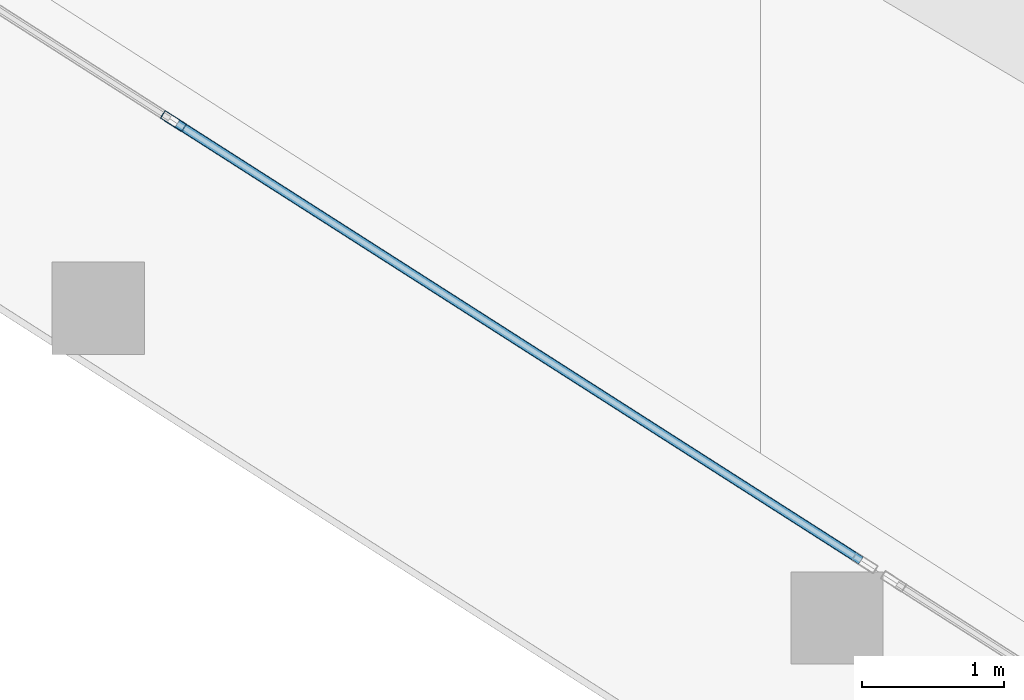
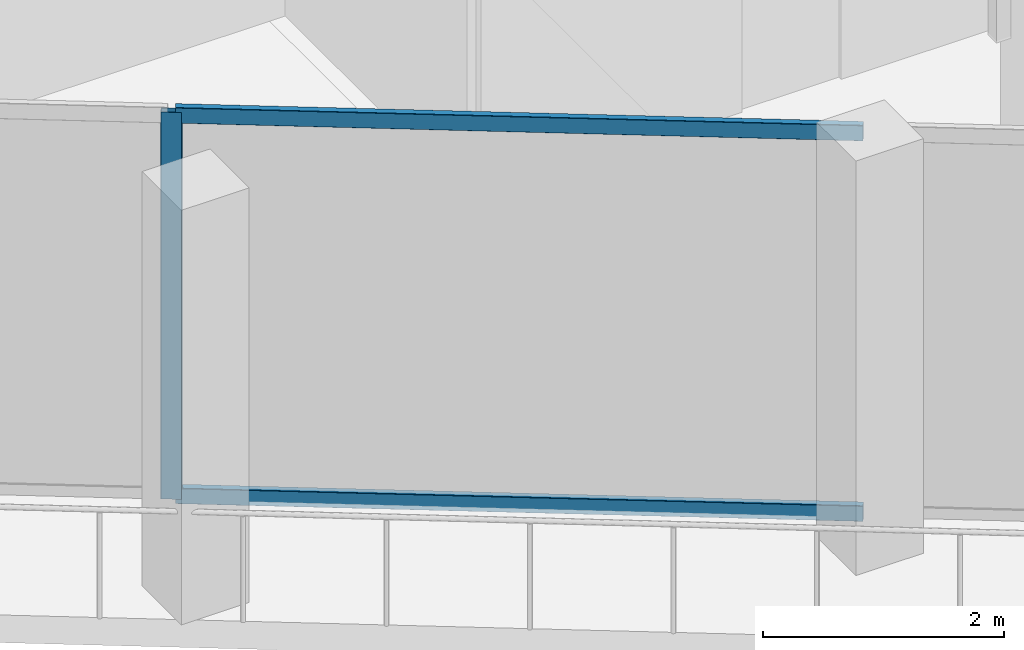
# One storey, part 5 of 45: 3 members, 1 element without a shape of its own.
"""IFC4 building model written with IfcOpenShell, lengths in metres."""

from ifc_helpers import new_model, si_unit, direction, frame, origin, origin_2d, place, context, subcontext, project, spatial, hollow_rectangle, extrude, material, layer, layer_set, material_profile, profile_set, type_object, element, aggregate, save


model = new_model("IFC4")

# Units and contexts
model_context = context("Model", 3, precision=1e-05, world=origin(), true_north=direction((0.0, 1.0)))
body_context = subcontext(model_context, "Body", "Model", "MODEL_VIEW")
ifc_project = project(units=[si_unit("LENGTHUNIT", "METRE"), si_unit("AREAUNIT", "SQUARE_METRE"), si_unit("VOLUMEUNIT", "CUBIC_METRE"), si_unit("PLANEANGLEUNIT", "RADIAN"), si_unit("MASSUNIT", "GRAM", prefix="KILO")], contexts=[model_context])

# Site, building, storey
site_placement = place(None, origin())
site = spatial("IfcSite", under=ifc_project, at=site_placement, CompositionType="ELEMENT")
building_placement = place(site_placement, origin())
building = spatial("IfcBuilding", under=site, at=building_placement, Name="Qorvath Tower", CompositionType="ELEMENT")
storey_placement = place(building_placement, frame((0.0, 0.0, 66.0)))
storey = spatial("IfcBuildingStorey", under=building, at=storey_placement, Name="L14", CompositionType="ELEMENT", Elevation=66.0)

# Curtain wall, members
ifc_material_1 = material(Name="Anodised aluminium and triple low-E glass", Category="aluminium")
ifc_layer = layer(ifc_material_1, 0.179931640625)
ifc_layer_set = layer_set([ifc_layer], Name="CW-SYS-2")
curtain_wall_type = type_object("IfcCurtainWallType", Name="CW-SYS-2", PredefinedType="NOTDEFINED", material=ifc_layer_set)
curtain_wall_placement = place(storey_placement, origin())
curtain_wall = element("IfcCurtainWall", 1, at=curtain_wall_placement, inside=storey, type_object=curtain_wall_type, Name="Curtain Wall CW-2 CW-T-L14-2.1", PredefinedType="NOTDEFINED")
ifc_material_2 = material(Name="Anodised aluminium 6063-T6", Category="aluminium")
ifc_material_profile_1 = material_profile(ifc_material_2, hollow_rectangle(XDim=0.06494140625, YDim=0.179931640625, WallThickness=0.00341796875, InnerFilletRadius=0.00341796875, OuterFilletRadius=0.007080078125, at=origin_2d()), Name="CWM 180x65")
ifc_profile_set_1 = profile_set([ifc_material_profile_1], Name="Anodised aluminium 6063-T6")
member_type_1 = type_object("IfcMemberType", Name="CWM-180", PredefinedType="MULLION", material=ifc_profile_set_1)
member_1_placement = place(storey_placement, frame((-45.00634765625, -13.4560546875, 0.0), z_axis=(0.0, 0.0, 1.0), x_axis=(0.538530641183, 0.842605927173, 0.0)))
member_1 = element("IfcMember", 2, at=member_1_placement, type_object=member_type_1, Name="CW-2 mullion 4", PredefinedType="MULLION", context=body_context, shape_type="SweptSolid", body=[
    extrude(hollow_rectangle(XDim=0.06494140625, YDim=0.179931640625, WallThickness=0.00341796875, InnerFilletRadius=0.00341796875, OuterFilletRadius=0.007080078125, at=origin_2d()), origin(), (0.0, 0.0, 1.0), 3.919921875),
])
ifc_material_3 = material(Name="Anodised aluminium 6063-T6", Category="aluminium")
ifc_material_profile_2 = material_profile(ifc_material_3, hollow_rectangle(XDim=0.06494140625, YDim=0.159912109375, WallThickness=0.00341796875, InnerFilletRadius=0.00341796875, OuterFilletRadius=0.007080078125, at=origin_2d()), Name="CWT 160x65")
ifc_profile_set_2 = profile_set([ifc_material_profile_2], Name="Anodised aluminium 6063-T6")
member_type_2 = type_object("IfcMemberType", Name="CWT-160", PredefinedType="USERDEFINED", material=ifc_profile_set_2)
member_2_placement = place(storey_placement, frame((-44.97900390625, -13.473388671875, 0.032470703125), z_axis=(0.842590167086, -0.53855529923, 0.0), x_axis=(0.53855529923, 0.842590167086, 0.0)))
member_2 = element("IfcMember", 3, at=member_2_placement, type_object=member_type_2, Name="CW-2 transom 4.1", ObjectType="TRANSOM", PredefinedType="USERDEFINED", context=body_context, shape_type="SweptSolid", body=[
    extrude(hollow_rectangle(XDim=0.06494140625, YDim=0.159912109375, WallThickness=0.00341796875, InnerFilletRadius=0.00341796875, OuterFilletRadius=0.007080078125, at=origin_2d()), origin(), (0.0, 0.0, 1.0), 5.714111328125),
])
member_3_placement = place(storey_placement, frame((-44.97900390625, -13.473388671875, 3.887451171875), z_axis=(0.842590167086, -0.53855529923, 0.0), x_axis=(0.53855529923, 0.842590167086, 0.0)))
member_3 = element("IfcMember", 4, at=member_3_placement, type_object=member_type_2, Name="CW-2 transom 4.2", ObjectType="TRANSOM", PredefinedType="USERDEFINED", context=body_context, shape_type="SweptSolid", body=[
    extrude(hollow_rectangle(XDim=0.06494140625, YDim=0.159912109375, WallThickness=0.00341796875, InnerFilletRadius=0.00341796875, OuterFilletRadius=0.007080078125, at=origin_2d()), origin(), (0.0, 0.0, 1.0), 5.714111328125),
])
aggregate(curtain_wall, [member_1, member_2, member_3])

save(model, "model.ifc")
